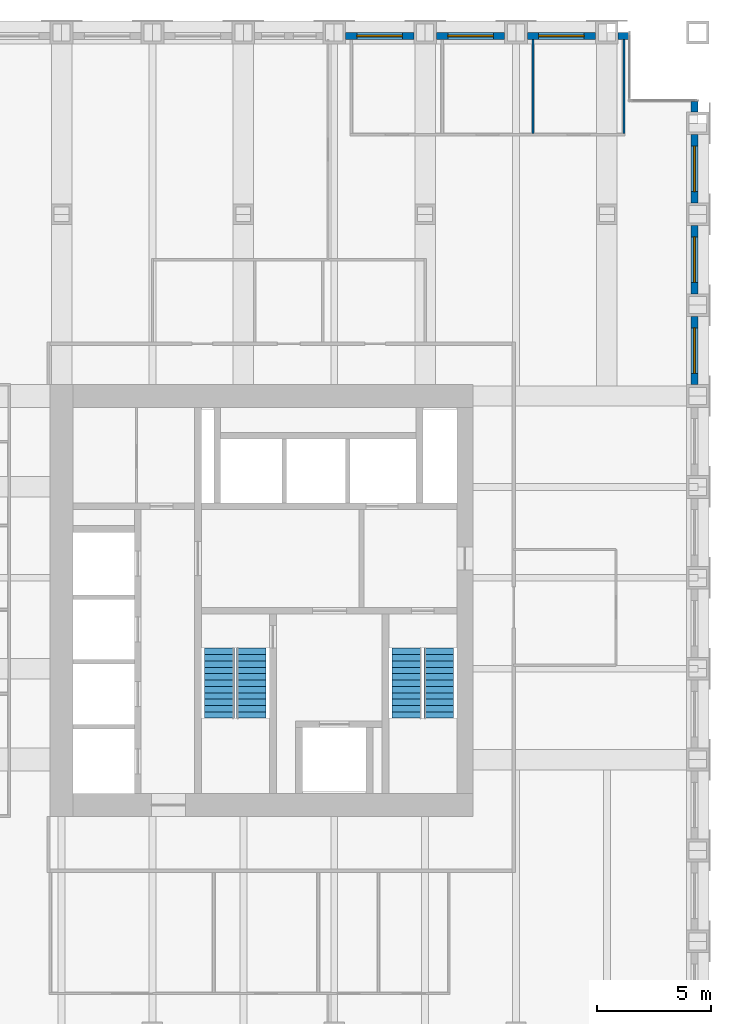
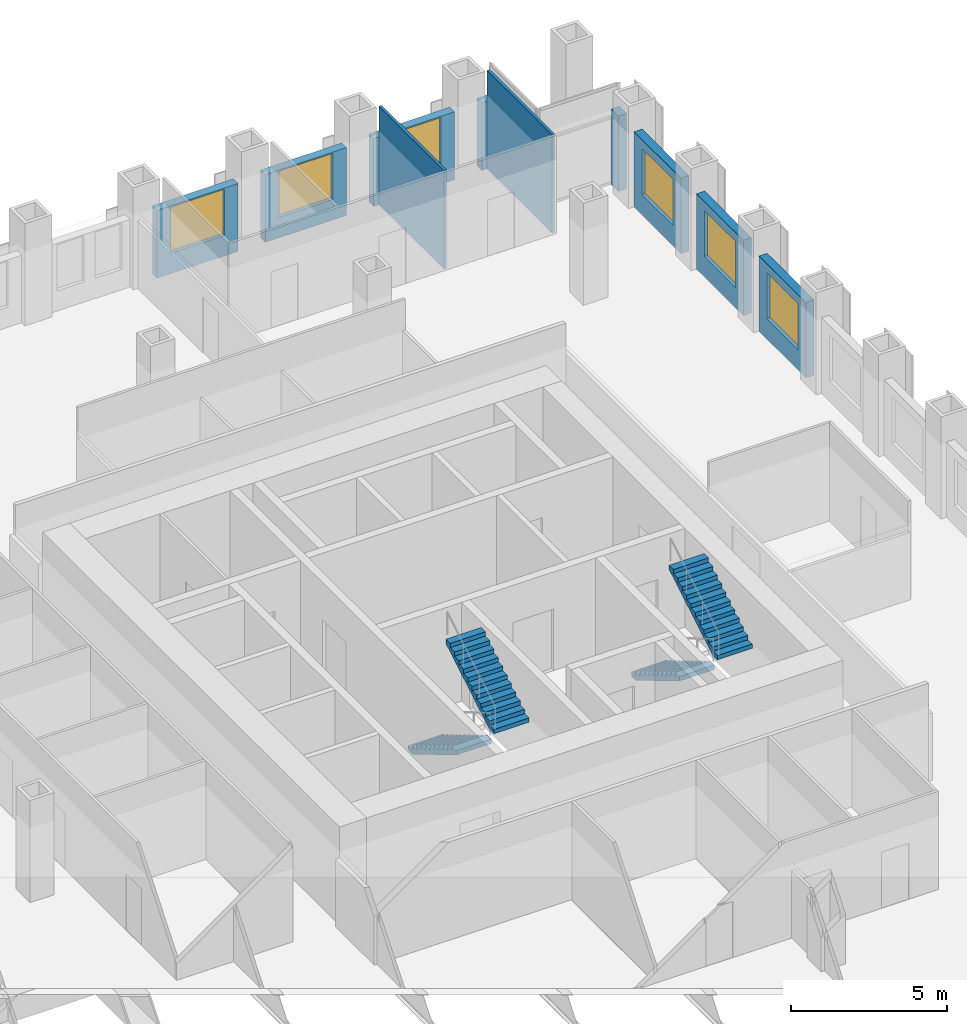
# One storey, part 11 of 12: 10 walls, 6 windows, 4 stair flights, 6 openings, 2 elements without a shape of their own.
"""IFC4 building model written with IfcOpenShell, lengths in metres."""

from ifc_helpers import new_model, si_unit, direction, frame, frame_2d, origin, place, context, subcontext, project, spatial, polyline, rectangle, outline, extrude, material, layer, layer_set, type_object, element, fill, aggregate, save


model = new_model("IFC4")

# Units and contexts
model_context = context("Model", 3, precision=1e-05, world=origin(), true_north=direction((0.0, 1.0)))
body_context = subcontext(model_context, "Body", "Model", "MODEL_VIEW")
ifc_project = project(units=[si_unit("LENGTHUNIT", "METRE"), si_unit("AREAUNIT", "SQUARE_METRE"), si_unit("VOLUMEUNIT", "CUBIC_METRE"), si_unit("PLANEANGLEUNIT", "RADIAN"), si_unit("MASSUNIT", "GRAM", prefix="KILO")], contexts=[model_context])

# Site, building, storey
site_placement = place(None, origin())
site = spatial("IfcSite", under=ifc_project, at=site_placement, CompositionType="ELEMENT")
building_placement = place(site_placement, origin())
building = spatial("IfcBuilding", under=site, at=building_placement, Name="Rimbunsela Tower", CompositionType="ELEMENT")
storey_placement = place(building_placement, frame((0.0, 0.0, 167.800048828125)))
storey = spatial("IfcBuildingStorey", under=building, at=storey_placement, Name="L40", CompositionType="ELEMENT", Elevation=167.800048828125)

# Walls
ifc_material_1 = material(Name="Gypsum board on steel studs", Category="steel")
ifc_layer_1 = layer(ifc_material_1, 0.10009765625)
ifc_layer_set_1 = layer_set([ifc_layer_1], Name="Office partition 100")
wall_type_1 = type_object("IfcWallType", Name="Office partition 100", PredefinedType="PARTITIONING", material=ifc_layer_set_1)
for number, where, z_axis, x_axis, name in (
    (1, (38.75, 47.550048828125, 0.0), (0.0, 0.0, 1.0), (0.0, 1.0, 0.0), "Office partition"),
    (2, (42.75, 47.550048828125, 0.0), (0.0, 0.0, 1.0), (0.0, 1.0, 0.0), "Office partition"),
):
    element("IfcWall", number, at=place(storey_placement, frame(where, z_axis=z_axis, x_axis=x_axis)), inside=storey, type_object=wall_type_1, Name=name, PredefinedType="PARTITIONING", context=body_context, shape_type="SweptSolid", body=[
        extrude(rectangle(XDim=4.14990234375, YDim=0.10009765625, at=frame_2d((2.074951171875, 0.0))), origin(), (0.0, 0.0, 1.0), 3.849853515625),
    ])

# Wall, opening, window
ifc_material_2 = material(Name="Precast concrete fc' 35 MPa", Category="concrete")
ifc_layer_2 = layer(ifc_material_2, 0.300048828125)
ifc_layer_set_2 = layer_set([ifc_layer_2], Name="Precast concrete fc' 35 MPa")
wall_type_2 = type_object("IfcWallType", Name="Precast facade panel 300", PredefinedType="ELEMENTEDWALL", material=ifc_layer_set_2)
wall_1_placement = place(storey_placement, frame((45.85009765625, 36.5, 0.0), z_axis=(0.0, 0.0, 1.0), x_axis=(0.0, 1.0, 0.0)))
wall_1 = element("IfcWall", 3, at=wall_1_placement, inside=storey, type_object=wall_type_2, Name="Facade panel E L40", PredefinedType="ELEMENTEDWALL", context=body_context, shape_type="SweptSolid", body=[
    extrude(rectangle(XDim=3.0, YDim=0.300048828125, at=frame_2d((1.5, 0.0))), origin(), (0.0, 0.0, 1.0), 2.949951171875),
])
opening_1_placement = place(wall_1_placement, frame((0.5, 0.0, 0.800048828125)))
opening_1 = element("IfcOpeningElement", 4, at=opening_1_placement, cuts=wall_1, Name="Opening W7", PredefinedType="OPENING", context=body_context, shape_type="SweptSolid", body=[
    extrude(rectangle(XDim=2.0, YDim=1.800048828125, at=frame_2d((1.0, 0.89990234375))), frame((0.0, 0.159912109375, 0.0), z_axis=(0.0, -1.0, 0.0), x_axis=(1.0, 0.0, 0.0)), (0.0, 0.0, 1.0), 0.320068359375),
])
ifc_material_3 = material(Name="Clear glass in aluminium frame", Category="aluminium")
window_type = type_object("IfcWindowType", Name="Window W7 2000x1800", PartitioningType="DOUBLE_PANEL_VERTICAL", PredefinedType="WINDOW", material=ifc_material_3)
window_1_placement = place(opening_1_placement, origin())
window_1 = element("IfcWindow", 5, at=window_1_placement, inside=storey, type_object=window_type, Name="Window L40", OverallHeight=1.800048828125, OverallWidth=2.0, PartitioningType="SINGLE_PANEL", PredefinedType="WINDOW", context=body_context, shape_type="SweptSolid", body=[
    extrude(rectangle(XDim=2.0, YDim=1.800048828125, at=frame_2d((1.0, 0.89990234375))), frame((0.0, 0.030029296875, 0.0), z_axis=(0.0, -1.0, 0.0), x_axis=(1.0, 0.0, 0.0)), (0.0, 0.0, 1.0), 0.06005859375),
])
fill(opening_1, window_1)

wall_2_placement = place(storey_placement, frame((45.85009765625, 40.5, 0.0), z_axis=(0.0, 0.0, 1.0), x_axis=(0.0, 1.0, 0.0)))
wall_2 = element("IfcWall", 6, at=wall_2_placement, inside=storey, type_object=wall_type_2, Name="Facade panel E L40", PredefinedType="ELEMENTEDWALL", context=body_context, shape_type="SweptSolid", body=[
    extrude(rectangle(XDim=3.0, YDim=0.300048828125, at=frame_2d((1.5, 0.0))), origin(), (0.0, 0.0, 1.0), 2.949951171875),
])
opening_2_placement = place(wall_2_placement, frame((0.5, 0.0, 0.800048828125)))
opening_2 = element("IfcOpeningElement", 7, at=opening_2_placement, cuts=wall_2, Name="Opening W7", PredefinedType="OPENING", context=body_context, shape_type="SweptSolid", body=[
    extrude(rectangle(XDim=2.0, YDim=1.800048828125, at=frame_2d((1.0, 0.89990234375))), frame((0.0, 0.159912109375, 0.0), z_axis=(0.0, -1.0, 0.0), x_axis=(1.0, 0.0, 0.0)), (0.0, 0.0, 1.0), 0.320068359375),
])
window_2_placement = place(opening_2_placement, origin())
window_2 = element("IfcWindow", 8, at=window_2_placement, inside=storey, type_object=window_type, Name="Window L40", OverallHeight=1.800048828125, OverallWidth=2.0, PartitioningType="SINGLE_PANEL", PredefinedType="WINDOW", context=body_context, shape_type="SweptSolid", body=[
    extrude(rectangle(XDim=2.0, YDim=1.800048828125, at=frame_2d((1.0, 0.89990234375))), frame((0.0, 0.030029296875, 0.0), z_axis=(0.0, -1.0, 0.0), x_axis=(1.0, 0.0, 0.0)), (0.0, 0.0, 1.0), 0.06005859375),
])
fill(opening_2, window_2)

wall_3_placement = place(storey_placement, frame((45.85009765625, 44.5, 0.0), z_axis=(0.0, 0.0, 1.0), x_axis=(0.0, 1.0, 0.0)))
wall_3 = element("IfcWall", 9, at=wall_3_placement, inside=storey, type_object=wall_type_2, Name="Facade panel E L40", PredefinedType="ELEMENTEDWALL", context=body_context, shape_type="SweptSolid", body=[
    extrude(rectangle(XDim=3.0, YDim=0.300048828125, at=frame_2d((1.5, 0.0))), origin(), (0.0, 0.0, 1.0), 2.949951171875),
])
opening_3_placement = place(wall_3_placement, frame((0.5, 0.0, 0.800048828125)))
opening_3 = element("IfcOpeningElement", 10, at=opening_3_placement, cuts=wall_3, Name="Opening W7", PredefinedType="OPENING", context=body_context, shape_type="SweptSolid", body=[
    extrude(rectangle(XDim=2.0, YDim=1.800048828125, at=frame_2d((1.0, 0.89990234375))), frame((0.0, 0.159912109375, 0.0), z_axis=(0.0, -1.0, 0.0), x_axis=(1.0, 0.0, 0.0)), (0.0, 0.0, 1.0), 0.320068359375),
])
window_3_placement = place(opening_3_placement, origin())
window_3 = element("IfcWindow", 11, at=window_3_placement, inside=storey, type_object=window_type, Name="Window L40", OverallHeight=1.800048828125, OverallWidth=2.0, PartitioningType="SINGLE_PANEL", PredefinedType="WINDOW", context=body_context, shape_type="SweptSolid", body=[
    extrude(rectangle(XDim=2.0, YDim=1.800048828125, at=frame_2d((1.0, 0.89990234375))), frame((0.0, 0.030029296875, 0.0), z_axis=(0.0, -1.0, 0.0), x_axis=(1.0, 0.0, 0.0)), (0.0, 0.0, 1.0), 0.06005859375),
])
fill(opening_3, window_3)

# Wall
wall_4_placement = place(storey_placement, frame((45.85009765625, 48.5, 0.0), z_axis=(0.0, 0.0, 1.0), x_axis=(0.0, 1.0, 0.0)))
element("IfcWall", 12, at=wall_4_placement, inside=storey, type_object=wall_type_2, Name="Facade panel E L40", PredefinedType="ELEMENTEDWALL", context=body_context, shape_type="SweptSolid", body=[
    extrude(rectangle(XDim=0.469970703125, YDim=0.300048828125, at=frame_2d((0.23486328125, 0.0))), origin(), (0.0, 0.0, 1.0), 2.949951171875),
])

# Wall, opening, window
wall_5_placement = place(storey_placement, frame((33.5, 51.85009765625, 0.0), z_axis=(0.0, 0.0, 1.0), x_axis=(-1.0, 0.0, 0.0)))
wall_5 = element("IfcWall", 13, at=wall_5_placement, inside=storey, type_object=wall_type_2, Name="Facade panel N L40", PredefinedType="ELEMENTEDWALL", context=body_context, shape_type="SweptSolid", body=[
    extrude(rectangle(XDim=3.0, YDim=0.300048828125, at=frame_2d((1.5, 0.0))), origin(), (0.0, 0.0, 1.0), 2.64990234375),
])
opening_4_placement = place(wall_5_placement, frame((0.5, 0.0, 0.800048828125)))
opening_4 = element("IfcOpeningElement", 14, at=opening_4_placement, cuts=wall_5, Name="Opening W7", PredefinedType="OPENING", context=body_context, shape_type="SweptSolid", body=[
    extrude(rectangle(XDim=2.0, YDim=1.800048828125, at=frame_2d((1.0, 0.89990234375))), frame((0.0, 0.159912109375, 0.0), z_axis=(0.0, -1.0, 0.0), x_axis=(1.0, 0.0, 0.0)), (0.0, 0.0, 1.0), 0.320068359375),
])
window_4_placement = place(opening_4_placement, origin())
window_4 = element("IfcWindow", 15, at=window_4_placement, inside=storey, type_object=window_type, Name="Window L40", OverallHeight=1.800048828125, OverallWidth=2.0, PartitioningType="SINGLE_PANEL", PredefinedType="WINDOW", context=body_context, shape_type="SweptSolid", body=[
    extrude(rectangle(XDim=2.0, YDim=1.800048828125, at=frame_2d((1.0, 0.89990234375))), frame((0.0, 0.030029296875, 0.0), z_axis=(0.0, -1.0, 0.0), x_axis=(1.0, 0.0, 0.0)), (0.0, 0.0, 1.0), 0.06005859375),
])
fill(opening_4, window_4)

wall_6_placement = place(storey_placement, frame((37.5, 51.85009765625, 0.0), z_axis=(0.0, 0.0, 1.0), x_axis=(-1.0, 0.0, 0.0)))
wall_6 = element("IfcWall", 16, at=wall_6_placement, inside=storey, type_object=wall_type_2, Name="Facade panel N L40", PredefinedType="ELEMENTEDWALL", context=body_context, shape_type="SweptSolid", body=[
    extrude(rectangle(XDim=3.0, YDim=0.300048828125, at=frame_2d((1.5, 0.0))), origin(), (0.0, 0.0, 1.0), 2.64990234375),
])
opening_5_placement = place(wall_6_placement, frame((0.5, 0.0, 0.800048828125)))
opening_5 = element("IfcOpeningElement", 17, at=opening_5_placement, cuts=wall_6, Name="Opening W7", PredefinedType="OPENING", context=body_context, shape_type="SweptSolid", body=[
    extrude(rectangle(XDim=2.0, YDim=1.800048828125, at=frame_2d((1.0, 0.89990234375))), frame((0.0, 0.159912109375, 0.0), z_axis=(0.0, -1.0, 0.0), x_axis=(1.0, 0.0, 0.0)), (0.0, 0.0, 1.0), 0.320068359375),
])
window_5_placement = place(opening_5_placement, origin())
window_5 = element("IfcWindow", 18, at=window_5_placement, inside=storey, type_object=window_type, Name="Window L40", OverallHeight=1.800048828125, OverallWidth=2.0, PartitioningType="SINGLE_PANEL", PredefinedType="WINDOW", context=body_context, shape_type="SweptSolid", body=[
    extrude(rectangle(XDim=2.0, YDim=1.800048828125, at=frame_2d((1.0, 0.89990234375))), frame((0.0, 0.030029296875, 0.0), z_axis=(0.0, -1.0, 0.0), x_axis=(1.0, 0.0, 0.0)), (0.0, 0.0, 1.0), 0.06005859375),
])
fill(opening_5, window_5)

wall_7_placement = place(storey_placement, frame((41.5, 51.85009765625, 0.0), z_axis=(0.0, 0.0, 1.0), x_axis=(-1.0, 0.0, 0.0)))
wall_7 = element("IfcWall", 19, at=wall_7_placement, inside=storey, type_object=wall_type_2, Name="Facade panel N L40", PredefinedType="ELEMENTEDWALL", context=body_context, shape_type="SweptSolid", body=[
    extrude(rectangle(XDim=3.0, YDim=0.300048828125, at=frame_2d((1.5, 0.0))), origin(), (0.0, 0.0, 1.0), 2.64990234375),
])
opening_6_placement = place(wall_7_placement, frame((0.5, 0.0, 0.800048828125)))
opening_6 = element("IfcOpeningElement", 20, at=opening_6_placement, cuts=wall_7, Name="Opening W7", PredefinedType="OPENING", context=body_context, shape_type="SweptSolid", body=[
    extrude(rectangle(XDim=2.0, YDim=1.800048828125, at=frame_2d((1.0, 0.89990234375))), frame((0.0, 0.159912109375, 0.0), z_axis=(0.0, -1.0, 0.0), x_axis=(1.0, 0.0, 0.0)), (0.0, 0.0, 1.0), 0.320068359375),
])
window_6_placement = place(opening_6_placement, origin())
window_6 = element("IfcWindow", 21, at=window_6_placement, inside=storey, type_object=window_type, Name="Window L40", OverallHeight=1.800048828125, OverallWidth=2.0, PartitioningType="SINGLE_PANEL", PredefinedType="WINDOW", context=body_context, shape_type="SweptSolid", body=[
    extrude(rectangle(XDim=2.0, YDim=1.800048828125, at=frame_2d((1.0, 0.89990234375))), frame((0.0, 0.030029296875, 0.0), z_axis=(0.0, -1.0, 0.0), x_axis=(1.0, 0.0, 0.0)), (0.0, 0.0, 1.0), 0.06005859375),
])
fill(opening_6, window_6)

# Wall
wall_8_placement = place(storey_placement, frame((42.969970703125, 51.85009765625, 0.0), z_axis=(0.0, 0.0, 1.0), x_axis=(-1.0, 0.0, 0.0)))
element("IfcWall", 22, at=wall_8_placement, inside=storey, type_object=wall_type_2, Name="Facade panel N L40", PredefinedType="ELEMENTEDWALL", context=body_context, shape_type="SweptSolid", body=[
    extrude(rectangle(XDim=0.469970703125, YDim=0.300048828125, at=frame_2d((0.23486328125, 0.0))), origin(), (0.0, 0.0, 1.0), 2.64990234375),
])

# Stair, stair flights
ifc_material_4 = material(Name="Concrete fc' 35 MPa", Category="concrete")
stair_type = type_object("IfcStairType", Name="Exit stair 24 risers", PredefinedType="HALF_TURN_STAIR", material=ifc_material_4)
stair_1_placement = place(storey_placement, origin())
stair_1 = element("IfcStair", 23, at=stair_1_placement, inside=storey, type_object=stair_type, Name="Exit stair A L40", PredefinedType="HALF_TURN_STAIR")
ifc_material_5 = material(Name="Concrete fc' 35 MPa", Category="concrete")
stair_flight_type = type_object("IfcStairFlightType", Name="Stair flight 12 risers 167", PredefinedType="STRAIGHT", material=ifc_material_5)
stair_flight_1_placement = place(storey_placement, frame((24.949951171875, 24.89990234375, 0.0), z_axis=(0.0, 0.0, 1.0), x_axis=(0.0, -1.0, 0.0)))
stair_flight_1 = element("IfcStairFlight", 24, at=stair_flight_1_placement, type_object=stair_flight_type, Name="ST-A flight 1", NumberOfRisers=12, NumberOfTreads=11, PredefinedType="STRAIGHT", RiserHeight=0.166666667, TreadLength=0.28, context=body_context, shape_type="SweptSolid", body=[
    extrude(outline(polyline([(0.0, 0.0), (0.0, 0.166748046875), (0.280029296875, 0.166748046875), (0.280029296875, 0.333251953125), (0.56005859375, 0.333251953125), (0.56005859375, 0.5), (0.840087890625, 0.5), (0.840087890625, 0.666748046875), (1.1201171875, 0.666748046875), (1.1201171875, 0.833251953125), (1.39990234375, 0.833251953125), (1.39990234375, 1.0), (1.679931640625, 1.0), (1.679931640625, 1.166748046875), (1.9599609375, 1.166748046875), (1.9599609375, 1.333251953125), (2.239990234375, 1.333251953125), (2.239990234375, 1.5), (2.52001953125, 1.5), (2.52001953125, 1.666748046875), (2.800048828125, 1.666748046875), (2.800048828125, 1.833251953125), (3.080078125, 1.833251953125), (3.080078125, 2.0), (3.080078125, 1.658935546875), (0.29296875, 0.0), (0.0, 0.0)])), frame((0.0, 0.64990234375, 0.0), z_axis=(0.0, -1.0, 0.0), x_axis=(1.0, 0.0, 0.0)), (0.0, 0.0, 1.0), 1.300048828125),
])
stair_flight_2_placement = place(storey_placement, frame((26.35009765625, 21.820068359375, 2.0), z_axis=(0.0, 0.0, 1.0), x_axis=(0.0, 1.0, 0.0)))
stair_flight_2 = element("IfcStairFlight", 25, at=stair_flight_2_placement, type_object=stair_flight_type, Name="ST-A flight 2", NumberOfRisers=12, NumberOfTreads=11, PredefinedType="STRAIGHT", RiserHeight=0.166666667, TreadLength=0.28, context=body_context, shape_type="SweptSolid", body=[
    extrude(outline(polyline([(0.0, 0.0), (0.0, 0.166748046875), (0.280029296875, 0.166748046875), (0.280029296875, 0.333251953125), (0.56005859375, 0.333251953125), (0.56005859375, 0.5), (0.840087890625, 0.5), (0.840087890625, 0.666748046875), (1.1201171875, 0.666748046875), (1.1201171875, 0.833251953125), (1.39990234375, 0.833251953125), (1.39990234375, 1.0), (1.679931640625, 1.0), (1.679931640625, 1.166748046875), (1.9599609375, 1.166748046875), (1.9599609375, 1.333251953125), (2.239990234375, 1.333251953125), (2.239990234375, 1.5), (2.52001953125, 1.5), (2.52001953125, 1.666748046875), (2.800048828125, 1.666748046875), (2.800048828125, 1.833251953125), (3.080078125, 1.833251953125), (3.080078125, 2.0), (3.080078125, 1.658935546875), (0.29296875, 0.0), (0.0, 0.0)])), frame((0.0, 0.64990234375, 0.0), z_axis=(0.0, -1.0, 0.0), x_axis=(1.0, 0.0, 0.0)), (0.0, 0.0, 1.0), 1.300048828125),
])
aggregate(stair_1, [stair_flight_1, stair_flight_2])

stair_2_placement = place(storey_placement, origin())
stair_2 = element("IfcStair", 26, at=stair_2_placement, inside=storey, type_object=stair_type, Name="Exit stair B L40", PredefinedType="HALF_TURN_STAIR")
stair_flight_3_placement = place(storey_placement, frame((33.199951171875, 24.89990234375, 0.0), z_axis=(0.0, 0.0, 1.0), x_axis=(0.0, -1.0, 0.0)))
stair_flight_3 = element("IfcStairFlight", 27, at=stair_flight_3_placement, type_object=stair_flight_type, Name="ST-B flight 1", NumberOfRisers=12, NumberOfTreads=11, PredefinedType="STRAIGHT", RiserHeight=0.166666667, TreadLength=0.28, context=body_context, shape_type="SweptSolid", body=[
    extrude(outline(polyline([(0.0, 0.0), (0.0, 0.166748046875), (0.280029296875, 0.166748046875), (0.280029296875, 0.333251953125), (0.56005859375, 0.333251953125), (0.56005859375, 0.5), (0.840087890625, 0.5), (0.840087890625, 0.666748046875), (1.1201171875, 0.666748046875), (1.1201171875, 0.833251953125), (1.39990234375, 0.833251953125), (1.39990234375, 1.0), (1.679931640625, 1.0), (1.679931640625, 1.166748046875), (1.9599609375, 1.166748046875), (1.9599609375, 1.333251953125), (2.239990234375, 1.333251953125), (2.239990234375, 1.5), (2.52001953125, 1.5), (2.52001953125, 1.666748046875), (2.800048828125, 1.666748046875), (2.800048828125, 1.833251953125), (3.080078125, 1.833251953125), (3.080078125, 2.0), (3.080078125, 1.658935546875), (0.29296875, 0.0), (0.0, 0.0)])), frame((0.0, 0.64990234375, 0.0), z_axis=(0.0, -1.0, 0.0), x_axis=(1.0, 0.0, 0.0)), (0.0, 0.0, 1.0), 1.300048828125),
])
stair_flight_4_placement = place(storey_placement, frame((34.60009765625, 21.820068359375, 2.0), z_axis=(0.0, 0.0, 1.0), x_axis=(0.0, 1.0, 0.0)))
stair_flight_4 = element("IfcStairFlight", 28, at=stair_flight_4_placement, type_object=stair_flight_type, Name="ST-B flight 2", NumberOfRisers=12, NumberOfTreads=11, PredefinedType="STRAIGHT", RiserHeight=0.166666667, TreadLength=0.28, context=body_context, shape_type="SweptSolid", body=[
    extrude(outline(polyline([(0.0, 0.0), (0.0, 0.166748046875), (0.280029296875, 0.166748046875), (0.280029296875, 0.333251953125), (0.56005859375, 0.333251953125), (0.56005859375, 0.5), (0.840087890625, 0.5), (0.840087890625, 0.666748046875), (1.1201171875, 0.666748046875), (1.1201171875, 0.833251953125), (1.39990234375, 0.833251953125), (1.39990234375, 1.0), (1.679931640625, 1.0), (1.679931640625, 1.166748046875), (1.9599609375, 1.166748046875), (1.9599609375, 1.333251953125), (2.239990234375, 1.333251953125), (2.239990234375, 1.5), (2.52001953125, 1.5), (2.52001953125, 1.666748046875), (2.800048828125, 1.666748046875), (2.800048828125, 1.833251953125), (3.080078125, 1.833251953125), (3.080078125, 2.0), (3.080078125, 1.658935546875), (0.29296875, 0.0), (0.0, 0.0)])), frame((0.0, 0.64990234375, 0.0), z_axis=(0.0, -1.0, 0.0), x_axis=(1.0, 0.0, 0.0)), (0.0, 0.0, 1.0), 1.300048828125),
])
aggregate(stair_2, [stair_flight_3, stair_flight_4])

save(model, "model.ifc")
